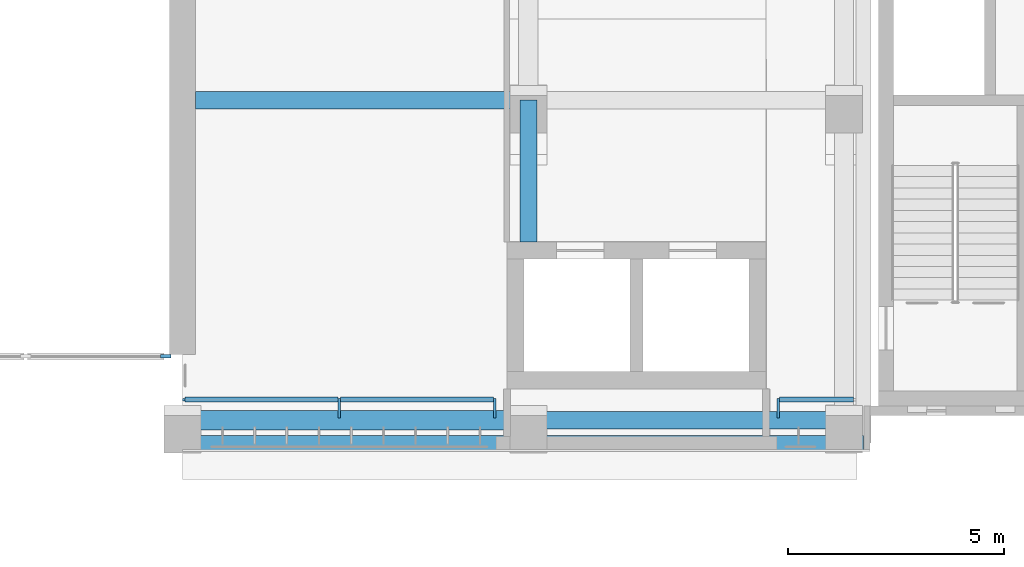
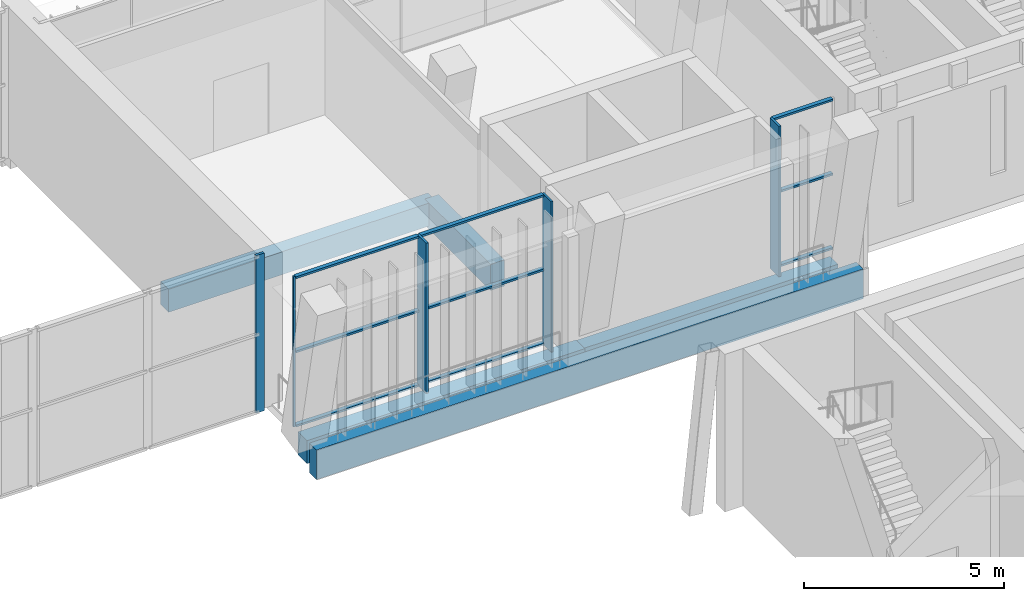
# One storey, part 14 of 92: 14 members, 5 beams, 3 elements without a shape of their own.
"""IFC4 building model written with IfcOpenShell, lengths in metres."""

from ifc_helpers import new_model, si_unit, direction, frame, origin, origin_2d, place, context, subcontext, project, spatial, rectangle, extrude, material, material_profile, profile_set, type_object, element, aggregate, save


model = new_model("IFC4")

# Units and contexts
model_context = context("Model", 3, precision=1e-05, world=origin(), true_north=direction((0.0, 1.0)))
body_context = subcontext(model_context, "Body", "Model", "MODEL_VIEW")
ifc_project = project(units=[si_unit("LENGTHUNIT", "METRE"), si_unit("AREAUNIT", "SQUARE_METRE"), si_unit("VOLUMEUNIT", "CUBIC_METRE"), si_unit("PLANEANGLEUNIT", "RADIAN"), si_unit("MASSUNIT", "GRAM", prefix="KILO")], contexts=[model_context])

# Site, building, storey
site_placement = place(None, origin())
site = spatial("IfcSite", under=ifc_project, at=site_placement, CompositionType="ELEMENT")
building_placement = place(site_placement, origin())
building = spatial("IfcBuilding", under=site, at=building_placement, Name="Lantern Court Media Centre", CompositionType="ELEMENT")
storey_placement = place(building_placement, frame((0.0, 0.0, 4.800048828125)))
storey = spatial("IfcBuildingStorey", under=building, at=storey_placement, Name="L01", CompositionType="ELEMENT", Elevation=4.800048828125)

# Curtain wall, members
ifc_material_1 = material(Name="Curtain wall bay 3000")
curtain_wall_type_1 = type_object("IfcCurtainWallType", Name="Curtain wall bay 3000", PredefinedType="NOTDEFINED", material=ifc_material_1)
curtain_wall_1_placement = place(storey_placement, origin())
curtain_wall_1 = element("IfcCurtainWall", 1, at=curtain_wall_1_placement, inside=storey, type_object=curtain_wall_type_1, Name="Curtain wall S outer L01", PredefinedType="NOTDEFINED")
ifc_material_2 = material(Name="Anodised aluminium", Category="aluminium")
ifc_material_profile_1 = material_profile(ifc_material_2, rectangle(XDim=0.449951171875, YDim=0.06005859375, at=origin_2d()), Name="AL 60x450")
ifc_profile_set_1 = profile_set([ifc_material_profile_1], Name="Anodised aluminium")
member_type_1 = type_object("IfcMemberType", Name="Curtain wall mullion 60x450", PredefinedType="MULLION", material=ifc_profile_set_1)
member_1_placement = place(storey_placement, frame((67.625, 47.955078125, 0.0), z_axis=(0.0, 0.0, 1.0), x_axis=(0.0, 1.0, 0.0)))
member_1 = element("IfcMember", 2, at=member_1_placement, type_object=member_type_1, Name="CW1 mullion 2", PredefinedType="MULLION", context=body_context, shape_type="SweptSolid", body=[
    extrude(rectangle(XDim=0.449951171875, YDim=0.06005859375, at=origin_2d()), origin(), (0.0, 0.0, 1.0), 4.579833984375),
])
member_2_placement = place(storey_placement, frame((71.219970703125, 47.955078125, 0.0), z_axis=(0.0, 0.0, 1.0), x_axis=(0.0, 1.0, 0.0)))
member_2 = element("IfcMember", 3, at=member_2_placement, type_object=member_type_1, Name="CW1 mullion 3", PredefinedType="MULLION", context=body_context, shape_type="SweptSolid", body=[
    extrude(rectangle(XDim=0.449951171875, YDim=0.06005859375, at=origin_2d()), origin(), (0.0, 0.0, 1.0), 4.579833984375),
])

# Curtain wall, member
curtain_wall_2_placement = place(storey_placement, origin())
curtain_wall_2 = element("IfcCurtainWall", 4, at=curtain_wall_2_placement, inside=storey, type_object=curtain_wall_type_1, Name="Curtain wall S outer L01", PredefinedType="NOTDEFINED")
member_3_placement = place(storey_placement, frame((77.780029296875, 47.955078125, 0.0), z_axis=(0.0, 0.0, 1.0), x_axis=(0.0, 1.0, 0.0)))
member_3 = element("IfcMember", 5, at=member_3_placement, type_object=member_type_1, Name="CW1 mullion 1", PredefinedType="MULLION", context=body_context, shape_type="SweptSolid", body=[
    extrude(rectangle(XDim=0.449951171875, YDim=0.06005859375, at=origin_2d()), origin(), (0.0, 0.0, 1.0), 4.579833984375),
])

# Member
ifc_material_profile_2 = material_profile(ifc_material_2, rectangle(XDim=0.06005859375, YDim=0.06005859375, at=origin_2d()), Name="AL 60x60")
ifc_profile_set_2 = profile_set([ifc_material_profile_2], Name="Anodised aluminium")
member_type_2 = type_object("IfcMemberType", Name="Curtain wall mullion 60x60", PredefinedType="MULLION", material=ifc_profile_set_2)
member_4_placement = place(storey_placement, frame((64.030029296875, 48.14990234375, 0.0), z_axis=(0.0, 0.0, 1.0), x_axis=(0.0, 1.0, 0.0)))
member_4 = element("IfcMember", 6, at=member_4_placement, type_object=member_type_2, Name="CW1 mullion 1", PredefinedType="MULLION", context=body_context, shape_type="SweptSolid", body=[
    extrude(rectangle(XDim=0.06005859375, YDim=0.06005859375, at=origin_2d()), origin(), (0.0, 0.0, 1.0), 4.579833984375),
])

# Curtain wall, member
ifc_material_3 = material(Name="Curtain wall bay 4000")
curtain_wall_type_2 = type_object("IfcCurtainWallType", Name="Curtain wall bay 4000", PredefinedType="NOTDEFINED", material=ifc_material_3)
curtain_wall_3_placement = place(storey_placement, origin())
curtain_wall_3 = element("IfcCurtainWall", 7, at=curtain_wall_3_placement, inside=storey, type_object=curtain_wall_type_2, Name="Curtain wall S outer L01", PredefinedType="NOTDEFINED")
ifc_material_profile_3 = material_profile(ifc_material_2, rectangle(XDim=0.080078125, YDim=0.239990234375, at=origin_2d()), Name="AL 80x240")
ifc_profile_set_3 = profile_set([ifc_material_profile_3], Name="Anodised aluminium")
member_type_3 = type_object("IfcMemberType", Name="Curtain wall mullion 80x240", PredefinedType="MULLION", material=ifc_profile_set_3)
member_5_placement = place(storey_placement, frame((63.610107421875, 49.14990234375, 0.0), z_axis=(0.0, 0.0, 1.0), x_axis=(0.0, 1.0, 0.0)))
member_5 = element("IfcMember", 8, at=member_5_placement, type_object=member_type_3, Name="CW3 mullion 3", PredefinedType="MULLION", context=body_context, shape_type="SweptSolid", body=[
    extrude(rectangle(XDim=0.080078125, YDim=0.239990234375, at=origin_2d()), origin(), (0.0, 0.0, 1.0), 4.800048828125),
])
aggregate(curtain_wall_3, [member_5])

# Member
ifc_material_profile_4 = material_profile(ifc_material_2, rectangle(XDim=0.1201171875, YDim=0.06005859375, at=origin_2d()), Name="AL 60x120")
ifc_profile_set_4 = profile_set([ifc_material_profile_4], Name="Anodised aluminium")
member_type_4 = type_object("IfcMemberType", Name="Curtain wall transom 60x120", PredefinedType="USERDEFINED", material=ifc_profile_set_4)
member_6_placement = place(storey_placement, frame((64.06005859375, 48.14990234375, 0.030029296875), z_axis=(1.0, 0.0, 0.0), x_axis=(0.0, 1.0, 0.0)))
member_6 = element("IfcMember", 9, at=member_6_placement, type_object=member_type_4, Name="CW1 transom 1.1", ObjectType="TRANSOM", PredefinedType="USERDEFINED", context=body_context, shape_type="SweptSolid", body=[
    extrude(rectangle(XDim=0.1201171875, YDim=0.06005859375, at=origin_2d()), origin(), (0.0, 0.0, 1.0), 3.534912109375),
])

member_7_placement = place(storey_placement, frame((64.06005859375, 48.14990234375, 2.2900390625), z_axis=(1.0, 0.0, 0.0), x_axis=(0.0, 1.0, 0.0)))
member_7 = element("IfcMember", 10, at=member_7_placement, type_object=member_type_4, Name="CW1 transom 1.2", ObjectType="TRANSOM", PredefinedType="USERDEFINED", context=body_context, shape_type="SweptSolid", body=[
    extrude(rectangle(XDim=0.1201171875, YDim=0.06005859375, at=origin_2d()), origin(), (0.0, 0.0, 1.0), 3.534912109375),
])

member_8_placement = place(storey_placement, frame((64.06005859375, 48.14990234375, 4.550048828125), z_axis=(1.0, 0.0, 0.0), x_axis=(0.0, 1.0, 0.0)))
member_8 = element("IfcMember", 11, at=member_8_placement, type_object=member_type_4, Name="CW1 transom 1.3", ObjectType="TRANSOM", PredefinedType="USERDEFINED", context=body_context, shape_type="SweptSolid", body=[
    extrude(rectangle(XDim=0.1201171875, YDim=0.06005859375, at=origin_2d()), origin(), (0.0, 0.0, 1.0), 3.534912109375),
])

member_9_placement = place(storey_placement, frame((67.655029296875, 48.14990234375, 0.030029296875), z_axis=(1.0, 0.0, 0.0), x_axis=(0.0, 1.0, 0.0)))
member_9 = element("IfcMember", 12, at=member_9_placement, type_object=member_type_4, Name="CW1 transom 2.1", ObjectType="TRANSOM", PredefinedType="USERDEFINED", context=body_context, shape_type="SweptSolid", body=[
    extrude(rectangle(XDim=0.1201171875, YDim=0.06005859375, at=origin_2d()), origin(), (0.0, 0.0, 1.0), 3.534912109375),
])

member_10_placement = place(storey_placement, frame((67.655029296875, 48.14990234375, 2.2900390625), z_axis=(1.0, 0.0, 0.0), x_axis=(0.0, 1.0, 0.0)))
member_10 = element("IfcMember", 13, at=member_10_placement, type_object=member_type_4, Name="CW1 transom 2.2", ObjectType="TRANSOM", PredefinedType="USERDEFINED", context=body_context, shape_type="SweptSolid", body=[
    extrude(rectangle(XDim=0.1201171875, YDim=0.06005859375, at=origin_2d()), origin(), (0.0, 0.0, 1.0), 3.534912109375),
])

member_11_placement = place(storey_placement, frame((67.655029296875, 48.14990234375, 4.550048828125), z_axis=(1.0, 0.0, 0.0), x_axis=(0.0, 1.0, 0.0)))
member_11 = element("IfcMember", 14, at=member_11_placement, type_object=member_type_4, Name="CW1 transom 2.3", ObjectType="TRANSOM", PredefinedType="USERDEFINED", context=body_context, shape_type="SweptSolid", body=[
    extrude(rectangle(XDim=0.1201171875, YDim=0.06005859375, at=origin_2d()), origin(), (0.0, 0.0, 1.0), 3.534912109375),
])

aggregate(curtain_wall_1, [member_4, member_1, member_2, member_6, member_7, member_8, member_9, member_10, member_11])

member_12_placement = place(storey_placement, frame((77.81005859375, 48.14990234375, 0.030029296875), z_axis=(1.0, 0.0, 0.0), x_axis=(0.0, 1.0, 0.0)))
member_12 = element("IfcMember", 15, at=member_12_placement, type_object=member_type_4, Name="CW1 transom 1.1", ObjectType="TRANSOM", PredefinedType="USERDEFINED", context=body_context, shape_type="SweptSolid", body=[
    extrude(rectangle(XDim=0.1201171875, YDim=0.06005859375, at=origin_2d()), origin(), (0.0, 0.0, 1.0), 1.7099609375),
])

member_13_placement = place(storey_placement, frame((77.81005859375, 48.14990234375, 2.2900390625), z_axis=(1.0, 0.0, 0.0), x_axis=(0.0, 1.0, 0.0)))
member_13 = element("IfcMember", 16, at=member_13_placement, type_object=member_type_4, Name="CW1 transom 1.2", ObjectType="TRANSOM", PredefinedType="USERDEFINED", context=body_context, shape_type="SweptSolid", body=[
    extrude(rectangle(XDim=0.1201171875, YDim=0.06005859375, at=origin_2d()), origin(), (0.0, 0.0, 1.0), 1.7099609375),
])

member_14_placement = place(storey_placement, frame((77.81005859375, 48.14990234375, 4.550048828125), z_axis=(1.0, 0.0, 0.0), x_axis=(0.0, 1.0, 0.0)))
member_14 = element("IfcMember", 17, at=member_14_placement, type_object=member_type_4, Name="CW1 transom 1.3", ObjectType="TRANSOM", PredefinedType="USERDEFINED", context=body_context, shape_type="SweptSolid", body=[
    extrude(rectangle(XDim=0.1201171875, YDim=0.06005859375, at=origin_2d()), origin(), (0.0, 0.0, 1.0), 1.7099609375),
])

aggregate(curtain_wall_2, [member_3, member_12, member_13, member_14])

# Beams
ifc_material_4 = material(Name="Concrete C35", Category="concrete")
ifc_material_profile_5 = material_profile(ifc_material_4, rectangle(XDim=0.35009765625, YDim=0.89990234375, at=origin_2d()), Name="RC 350x900")
ifc_profile_set_5 = profile_set([ifc_material_profile_5], Name="Concrete C35")
beam_type_1 = type_object("IfcBeamType", Name="RC BEAM 350x900", PredefinedType="BEAM", material=ifc_profile_set_5)
beam_1_placement = place(storey_placement, frame((64.0, 47.14990234375, -0.449951171875), z_axis=(1.0, 0.0, 0.0), x_axis=(0.0, 1.0, 0.0)))
element("IfcBeam", 18, at=beam_1_placement, inside=storey, type_object=beam_type_1, Name="EB-S-L01-A1", PredefinedType="BEAM", context=body_context, shape_type="SweptSolid", body=[
    extrude(rectangle(XDim=0.35009765625, YDim=0.89990234375, at=origin_2d()), origin(), (0.0, 0.0, 1.0), 15.75),
])
ifc_material_profile_6 = material_profile(ifc_material_4, rectangle(XDim=0.39990234375, YDim=0.699951171875, at=origin_2d()), Name="RC 400x700")
ifc_profile_set_6 = profile_set([ifc_material_profile_6], Name="Concrete C35")
beam_type_2 = type_object("IfcBeamType", Name="RC BEAM 400x700", PredefinedType="BEAM", material=ifc_profile_set_6)
beam_2_placement = place(storey_placement, frame((72.0, 47.6728515625, -0.35009765625), z_axis=(1.0, 0.0, 0.0), x_axis=(0.0, 1.0, 0.0)))
element("IfcBeam", 19, at=beam_2_placement, inside=storey, type_object=beam_type_2, Name="LB-S-L01-0-6", PredefinedType="BEAM", context=body_context, shape_type="SweptSolid", body=[
    extrude(rectangle(XDim=0.39990234375, YDim=0.699951171875, at=origin_2d()), origin(), (0.0, 0.0, 1.0), 7.300048828125),
])
beam_3_placement = place(storey_placement, frame((64.300048828125, 55.072998046875, -0.35009765625), z_axis=(1.0, 0.0, 0.0), x_axis=(0.0, 1.0, 0.0)))
element("IfcBeam", 20, at=beam_3_placement, inside=storey, type_object=beam_type_2, Name="LB-S-L01-1-11", PredefinedType="BEAM", context=body_context, shape_type="SweptSolid", body=[
    extrude(rectangle(XDim=0.39990234375, YDim=0.699951171875, at=origin_2d()), origin(), (0.0, 0.0, 1.0), 7.699951171875),
])
ifc_material_profile_7 = material_profile(ifc_material_4, rectangle(XDim=0.39990234375, YDim=0.800048828125, at=origin_2d()), Name="RC 400x800")
ifc_profile_set_7 = profile_set([ifc_material_profile_7], Name="Concrete C35")
beam_type_3 = type_object("IfcBeamType", Name="RC BEAM 400x800", PredefinedType="BEAM", material=ifc_profile_set_7)
beam_4_placement = place(storey_placement, frame((72.0, 51.800048828125, -0.400146484375), z_axis=(0.0, 1.0, 0.0), x_axis=(-1.0, 0.0, 0.0)))
element("IfcBeam", 21, at=beam_4_placement, inside=storey, type_object=beam_type_3, Name="TB-S-L01-6-1", PredefinedType="BEAM", context=body_context, shape_type="SweptSolid", body=[
    extrude(rectangle(XDim=0.39990234375, YDim=0.800048828125, at=origin_2d()), origin(), (0.0, 0.0, 1.0), 3.283203125),
])
ifc_material_profile_8 = material_profile(ifc_material_4, rectangle(XDim=0.449951171875, YDim=0.699951171875, at=origin_2d()), Name="RC 450x700")
ifc_profile_set_8 = profile_set([ifc_material_profile_8], Name="Concrete C35")
beam_type_4 = type_object("IfcBeamType", Name="RC BEAM 450x700", PredefinedType="BEAM", material=ifc_profile_set_8)
beam_5_placement = place(storey_placement, frame((64.0, 47.6728515625, -0.35009765625), z_axis=(1.0, 0.0, 0.0), x_axis=(0.0, 1.0, 0.0)))
element("IfcBeam", 22, at=beam_5_placement, inside=storey, type_object=beam_type_4, Name="LB-S-L01-0-5", PredefinedType="BEAM", context=body_context, shape_type="SweptSolid", body=[
    extrude(rectangle(XDim=0.449951171875, YDim=0.699951171875, at=origin_2d()), origin(), (0.0, 0.0, 1.0), 8.0),
])

save(model, "model.ifc")
